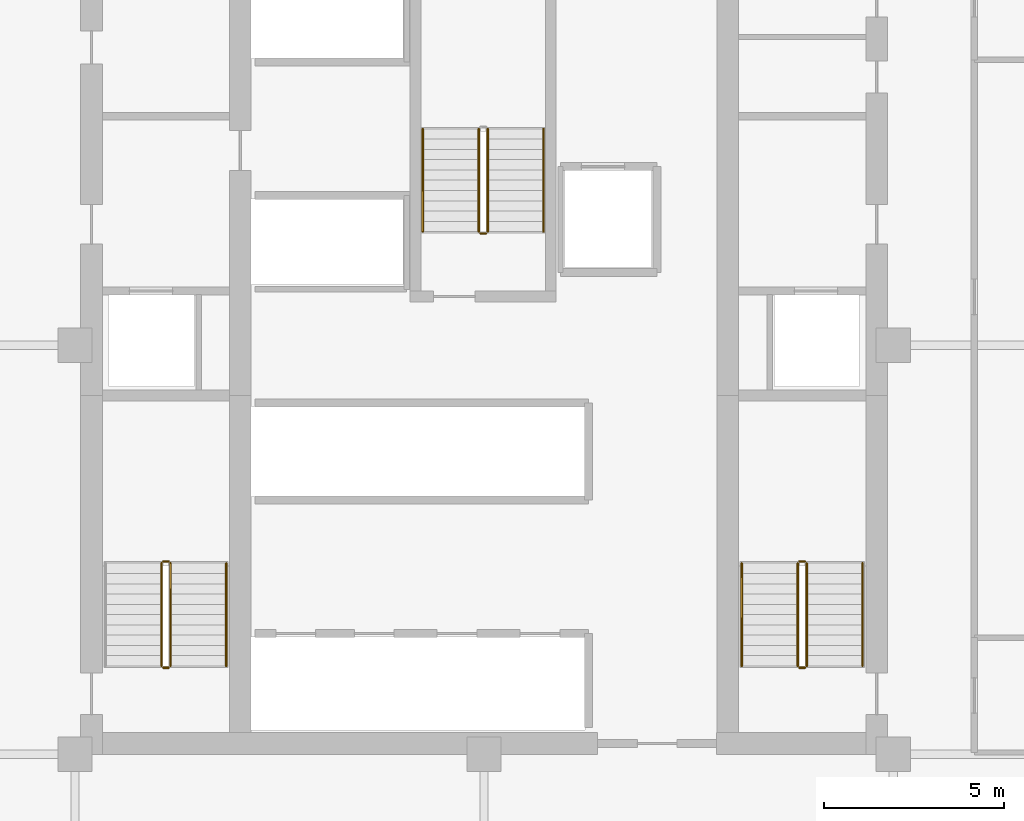
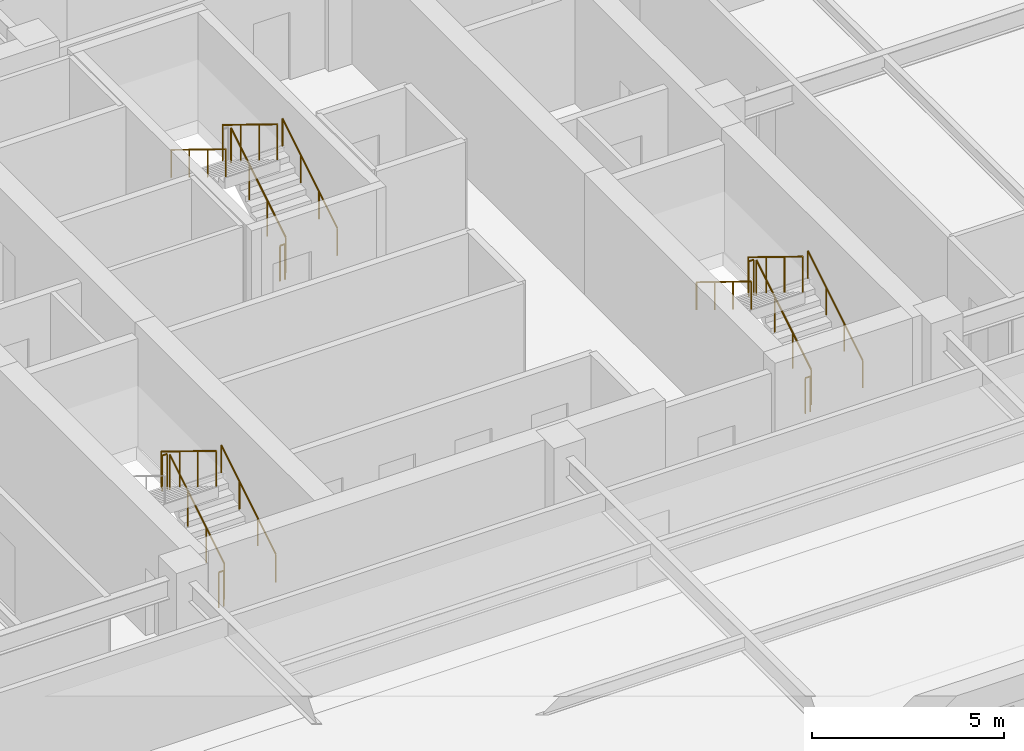
# One storey, part 10 of 12: 16 railings.
"""IFC4 building model written with IfcOpenShell, lengths in metres."""

from ifc_helpers import new_model, si_unit, direction, frame, origin, origin_2d, place, context, subcontext, project, spatial, circle, extrude, material, type_object, element, save


model = new_model("IFC4")

# Units and contexts
model_context = context("Model", 3, precision=1e-05, world=origin(), true_north=direction((0.0, 1.0)))
body_context = subcontext(model_context, "Body", "Model", "MODEL_VIEW")
ifc_project = project(units=[si_unit("LENGTHUNIT", "METRE"), si_unit("AREAUNIT", "SQUARE_METRE"), si_unit("VOLUMEUNIT", "CUBIC_METRE"), si_unit("PLANEANGLEUNIT", "RADIAN"), si_unit("MASSUNIT", "GRAM", prefix="KILO")], contexts=[model_context])

# Site, building, storey
site_placement = place(None, origin())
site = spatial("IfcSite", under=ifc_project, at=site_placement, CompositionType="ELEMENT")
building_placement = place(site_placement, origin())
building = spatial("IfcBuilding", under=site, at=building_placement, Name="Nhamokura Convention Tower", CompositionType="ELEMENT")
storey_placement = place(building_placement, frame((0.0, 0.0, 110.60009765625)))
storey = spatial("IfcBuildingStorey", under=building, at=storey_placement, Name="L26", CompositionType="ELEMENT", Elevation=110.60009765625)

# Railings
ifc_material_1 = material(Name="Anodised bronze stainless steel", Category="steel")
railing_type_1 = type_object("IfcRailingType", Name="StairWallHandrail_900", PredefinedType="HANDRAIL", material=ifc_material_1)
for number, where, name in (
    (1, (24.85009765625, 23.10009765625, 0.1748046875), "L26 ST-01 stair handrail 1"),
    (2, (42.5, 23.10009765625, 0.1748046875), "L26 ST-02 stair handrail 1"),
):
    element("IfcRailing", number, at=place(storey_placement, frame(where)), inside=storey, type_object=railing_type_1, Name=name, PredefinedType="HANDRAIL", context=body_context, shape_type="SweptSolid", body=[
        extrude(circle(Radius=0.02392578125, at=origin_2d()), frame((0.0, 0.0, 0.8759765625), z_axis=(0.0, 0.852159232446, 0.523282564737), x_axis=(-1.0, 0.0, 0.0)), (0.0, 0.0, 1.0), 3.34423828125),
        extrude(circle(Radius=0.02099609375, at=origin_2d()), origin(), (0.0, 0.0, 1.0), 0.851806640625),
        extrude(circle(Radius=0.02099609375, at=origin_2d()), frame((0.0, 0.949951171875, 0.583251953125)), (0.0, 0.0, 1.0), 0.851806640625),
        extrude(circle(Radius=0.02099609375, at=origin_2d()), frame((0.0, 1.89990234375, 1.166748046875)), (0.0, 0.0, 1.0), 0.851806640625),
        extrude(circle(Radius=0.02099609375, at=origin_2d()), frame((0.0, 2.849853515625, 1.75)), (0.0, 0.0, 1.0), 0.851806640625),
    ])
railing_1_placement = place(storey_placement, frame((39.14990234375, 25.949951171875, 2.099853515625)))
element("IfcRailing", 3, at=railing_1_placement, inside=storey, type_object=railing_type_1, Name="L26 ST-02 stair handrail 2", PredefinedType="HANDRAIL", context=body_context, shape_type="SweptSolid", body=[
    extrude(circle(Radius=0.02392578125, at=origin_2d()), frame((0.0, 0.0, 0.8759765625), z_axis=(0.0, -0.852159232446, 0.523282564737), x_axis=(1.0, 0.0, 0.0)), (0.0, 0.0, 1.0), 3.34423828125),
    extrude(circle(Radius=0.02099609375, at=origin_2d()), origin(), (0.0, 0.0, 1.0), 0.851806640625),
    extrude(circle(Radius=0.02099609375, at=origin_2d()), frame((0.0, -0.949951171875, 0.583251953125)), (0.0, 0.0, 1.0), 0.851806640625),
    extrude(circle(Radius=0.02099609375, at=origin_2d()), frame((0.0, -1.89990234375, 1.166748046875)), (0.0, 0.0, 1.0), 0.851806640625),
    extrude(circle(Radius=0.02099609375, at=origin_2d()), frame((0.0, -2.849853515625, 1.75)), (0.0, 0.0, 1.0), 0.851806640625),
])
railing_2_placement = place(storey_placement, frame((33.64990234375, 35.14990234375, 0.1748046875)))
element("IfcRailing", 4, at=railing_2_placement, inside=storey, type_object=railing_type_1, Name="L26 ST-03 stair handrail 1", PredefinedType="HANDRAIL", context=body_context, shape_type="SweptSolid", body=[
    extrude(circle(Radius=0.02392578125, at=origin_2d()), frame((0.0, 0.0, 0.8759765625), z_axis=(0.0, 0.852179220489, 0.52325001306), x_axis=(-1.0, 0.0, 0.0)), (0.0, 0.0, 1.0), 3.344482421875),
    extrude(circle(Radius=0.02099609375, at=origin_2d()), origin(), (0.0, 0.0, 1.0), 0.851806640625),
    extrude(circle(Radius=0.02099609375, at=origin_2d()), frame((0.0, 0.949951171875, 0.583251953125)), (0.0, 0.0, 1.0), 0.851806640625),
    extrude(circle(Radius=0.02099609375, at=origin_2d()), frame((0.0, 1.900146484375, 1.166748046875)), (0.0, 0.0, 1.0), 0.851806640625),
    extrude(circle(Radius=0.02099609375, at=origin_2d()), frame((0.0, 2.85009765625, 1.75)), (0.0, 0.0, 1.0), 0.851806640625),
])
railing_3_placement = place(storey_placement, frame((30.300048828125, 38.0, 2.099853515625)))
element("IfcRailing", 5, at=railing_3_placement, inside=storey, type_object=railing_type_1, Name="L26 ST-03 stair handrail 2", PredefinedType="HANDRAIL", context=body_context, shape_type="SweptSolid", body=[
    extrude(circle(Radius=0.02392578125, at=origin_2d()), frame((0.0, 0.0, 0.8759765625), z_axis=(0.0, -0.852179220489, 0.52325001306), x_axis=(1.0, 0.0, 0.0)), (0.0, 0.0, 1.0), 3.344482421875),
    extrude(circle(Radius=0.02099609375, at=origin_2d()), origin(), (0.0, 0.0, 1.0), 0.851806640625),
    extrude(circle(Radius=0.02099609375, at=origin_2d()), frame((0.0, -0.949951171875, 0.583251953125)), (0.0, 0.0, 1.0), 0.851806640625),
    extrude(circle(Radius=0.02099609375, at=origin_2d()), frame((0.0, -1.900146484375, 1.166748046875)), (0.0, 0.0, 1.0), 0.851806640625),
    extrude(circle(Radius=0.02099609375, at=origin_2d()), frame((0.0, -2.85009765625, 1.75)), (0.0, 0.0, 1.0), 0.851806640625),
])
ifc_material_2 = material(Name="Painted tubular steel", Category="steel")
railing_type_2 = type_object("IfcRailingType", Name="StairWellGuardrail_1150", PredefinedType="GUARDRAIL", material=ifc_material_2)
railing_4_placement = place(storey_placement, frame((23.300048828125, 23.10009765625, 0.1748046875)))
element("IfcRailing", 6, at=railing_4_placement, inside=storey, type_object=railing_type_2, Name="L26 ST-01 stair guard 1", PredefinedType="GUARDRAIL", context=body_context, shape_type="SweptSolid", body=[
    extrude(circle(Radius=0.02392578125, at=origin_2d()), frame((0.0, 0.0, 1.1259765625), z_axis=(0.0, 0.852159232446, 0.523282564737), x_axis=(-1.0, 0.0, 0.0)), (0.0, 0.0, 1.0), 3.34423828125),
    extrude(circle(Radius=0.02099609375, at=origin_2d()), origin(), (0.0, 0.0, 1.0), 1.101806640625),
    extrude(circle(Radius=0.02099609375, at=origin_2d()), frame((0.0, 0.949951171875, 0.583251953125)), (0.0, 0.0, 1.0), 1.101806640625),
    extrude(circle(Radius=0.02099609375, at=origin_2d()), frame((0.0, 1.89990234375, 1.166748046875)), (0.0, 0.0, 1.0), 1.101806640625),
    extrude(circle(Radius=0.02099609375, at=origin_2d()), frame((0.0, 2.849853515625, 1.75)), (0.0, 0.0, 1.0), 1.101806640625),
])
railing_5_placement = place(storey_placement, frame((23.25, 26.0, 1.9248046875)))
element("IfcRailing", 7, at=railing_5_placement, inside=storey, type_object=railing_type_2, Name="L26 ST-01 stair guard 2", PredefinedType="GUARDRAIL", context=body_context, shape_type="SweptSolid", body=[
    extrude(circle(Radius=0.02392578125, at=origin_2d()), frame((0.0, 0.0, 1.1259765625), z_axis=(-1.0, 0.0, 0.0), x_axis=(0.0, -1.0, 0.0)), (0.0, 0.0, 1.0), 0.14990234375),
    extrude(circle(Radius=0.02099609375, at=origin_2d()), origin(), (0.0, 0.0, 1.0), 1.101806640625),
    extrude(circle(Radius=0.02099609375, at=origin_2d()), frame((-0.14990234375, 0.0, 0.0)), (0.0, 0.0, 1.0), 1.101806640625),
])
railing_6_placement = place(storey_placement, frame((23.050048828125, 25.949951171875, 2.099853515625)))
element("IfcRailing", 8, at=railing_6_placement, inside=storey, type_object=railing_type_2, Name="L26 ST-01 stair guard 3", PredefinedType="GUARDRAIL", context=body_context, shape_type="SweptSolid", body=[
    extrude(circle(Radius=0.02392578125, at=origin_2d()), frame((0.0, 0.0, 1.1259765625), z_axis=(0.0, -0.852159232446, 0.523282564737), x_axis=(1.0, 0.0, 0.0)), (0.0, 0.0, 1.0), 3.34423828125),
    extrude(circle(Radius=0.02099609375, at=origin_2d()), origin(), (0.0, 0.0, 1.0), 1.101806640625),
    extrude(circle(Radius=0.02099609375, at=origin_2d()), frame((0.0, -0.949951171875, 0.583251953125)), (0.0, 0.0, 1.0), 1.101806640625),
    extrude(circle(Radius=0.02099609375, at=origin_2d()), frame((0.0, -1.89990234375, 1.166748046875)), (0.0, 0.0, 1.0), 1.101806640625),
    extrude(circle(Radius=0.02099609375, at=origin_2d()), frame((0.0, -2.849853515625, 1.75)), (0.0, 0.0, 1.0), 1.101806640625),
])
railing_7_placement = place(storey_placement, frame((23.25, 23.050048828125, 0.0)))
element("IfcRailing", 9, at=railing_7_placement, inside=storey, type_object=railing_type_2, Name="L26 ST-01 stair guard 4", PredefinedType="GUARDRAIL", context=body_context, shape_type="SweptSolid", body=[
    extrude(circle(Radius=0.02392578125, at=origin_2d()), frame((0.0, 0.0, 1.1259765625), z_axis=(-1.0, 0.0, 0.0), x_axis=(0.0, -1.0, 0.0)), (0.0, 0.0, 1.0), 0.14990234375),
    extrude(circle(Radius=0.02099609375, at=origin_2d()), origin(), (0.0, 0.0, 1.0), 1.101806640625),
    extrude(circle(Radius=0.02099609375, at=origin_2d()), frame((-0.14990234375, 0.0, 0.0)), (0.0, 0.0, 1.0), 1.101806640625),
])
railing_8_placement = place(storey_placement, frame((40.949951171875, 23.10009765625, 0.1748046875)))
element("IfcRailing", 10, at=railing_8_placement, inside=storey, type_object=railing_type_2, Name="L26 ST-02 stair guard 1", PredefinedType="GUARDRAIL", context=body_context, shape_type="SweptSolid", body=[
    extrude(circle(Radius=0.02392578125, at=origin_2d()), frame((0.0, 0.0, 1.1259765625), z_axis=(0.0, 0.852159232446, 0.523282564737), x_axis=(-1.0, 0.0, 0.0)), (0.0, 0.0, 1.0), 3.34423828125),
    extrude(circle(Radius=0.02099609375, at=origin_2d()), origin(), (0.0, 0.0, 1.0), 1.101806640625),
    extrude(circle(Radius=0.02099609375, at=origin_2d()), frame((0.0, 0.949951171875, 0.583251953125)), (0.0, 0.0, 1.0), 1.101806640625),
    extrude(circle(Radius=0.02099609375, at=origin_2d()), frame((0.0, 1.89990234375, 1.166748046875)), (0.0, 0.0, 1.0), 1.101806640625),
    extrude(circle(Radius=0.02099609375, at=origin_2d()), frame((0.0, 2.849853515625, 1.75)), (0.0, 0.0, 1.0), 1.101806640625),
])
railing_9_placement = place(storey_placement, frame((40.89990234375, 26.0, 1.9248046875)))
element("IfcRailing", 11, at=railing_9_placement, inside=storey, type_object=railing_type_2, Name="L26 ST-02 stair guard 2", PredefinedType="GUARDRAIL", context=body_context, shape_type="SweptSolid", body=[
    extrude(circle(Radius=0.02392578125, at=origin_2d()), frame((0.0, 0.0, 1.1259765625), z_axis=(-1.0, 0.0, 0.0), x_axis=(0.0, -1.0, 0.0)), (0.0, 0.0, 1.0), 0.14990234375),
    extrude(circle(Radius=0.02099609375, at=origin_2d()), origin(), (0.0, 0.0, 1.0), 1.101806640625),
    extrude(circle(Radius=0.02099609375, at=origin_2d()), frame((-0.14990234375, 0.0, 0.0)), (0.0, 0.0, 1.0), 1.101806640625),
])
railing_10_placement = place(storey_placement, frame((40.699951171875, 25.949951171875, 2.099853515625)))
element("IfcRailing", 12, at=railing_10_placement, inside=storey, type_object=railing_type_2, Name="L26 ST-02 stair guard 3", PredefinedType="GUARDRAIL", context=body_context, shape_type="SweptSolid", body=[
    extrude(circle(Radius=0.02392578125, at=origin_2d()), frame((0.0, 0.0, 1.1259765625), z_axis=(0.0, -0.852159232446, 0.523282564737), x_axis=(1.0, 0.0, 0.0)), (0.0, 0.0, 1.0), 3.34423828125),
    extrude(circle(Radius=0.02099609375, at=origin_2d()), origin(), (0.0, 0.0, 1.0), 1.101806640625),
    extrude(circle(Radius=0.02099609375, at=origin_2d()), frame((0.0, -0.949951171875, 0.583251953125)), (0.0, 0.0, 1.0), 1.101806640625),
    extrude(circle(Radius=0.02099609375, at=origin_2d()), frame((0.0, -1.89990234375, 1.166748046875)), (0.0, 0.0, 1.0), 1.101806640625),
    extrude(circle(Radius=0.02099609375, at=origin_2d()), frame((0.0, -2.849853515625, 1.75)), (0.0, 0.0, 1.0), 1.101806640625),
])
railing_11_placement = place(storey_placement, frame((40.89990234375, 23.050048828125, 0.0)))
element("IfcRailing", 13, at=railing_11_placement, inside=storey, type_object=railing_type_2, Name="L26 ST-02 stair guard 4", PredefinedType="GUARDRAIL", context=body_context, shape_type="SweptSolid", body=[
    extrude(circle(Radius=0.02392578125, at=origin_2d()), frame((0.0, 0.0, 1.1259765625), z_axis=(-1.0, 0.0, 0.0), x_axis=(0.0, -1.0, 0.0)), (0.0, 0.0, 1.0), 0.14990234375),
    extrude(circle(Radius=0.02099609375, at=origin_2d()), origin(), (0.0, 0.0, 1.0), 1.101806640625),
    extrude(circle(Radius=0.02099609375, at=origin_2d()), frame((-0.14990234375, 0.0, 0.0)), (0.0, 0.0, 1.0), 1.101806640625),
])
railing_12_placement = place(storey_placement, frame((32.10009765625, 35.14990234375, 0.1748046875)))
element("IfcRailing", 14, at=railing_12_placement, inside=storey, type_object=railing_type_2, Name="L26 ST-03 stair guard 1", PredefinedType="GUARDRAIL", context=body_context, shape_type="SweptSolid", body=[
    extrude(circle(Radius=0.02392578125, at=origin_2d()), frame((0.0, 0.0, 1.1259765625), z_axis=(0.0, 0.852179220489, 0.52325001306), x_axis=(-1.0, 0.0, 0.0)), (0.0, 0.0, 1.0), 3.344482421875),
    extrude(circle(Radius=0.02099609375, at=origin_2d()), origin(), (0.0, 0.0, 1.0), 1.101806640625),
    extrude(circle(Radius=0.02099609375, at=origin_2d()), frame((0.0, 0.949951171875, 0.583251953125)), (0.0, 0.0, 1.0), 1.101806640625),
    extrude(circle(Radius=0.02099609375, at=origin_2d()), frame((0.0, 1.900146484375, 1.166748046875)), (0.0, 0.0, 1.0), 1.101806640625),
    extrude(circle(Radius=0.02099609375, at=origin_2d()), frame((0.0, 2.85009765625, 1.75)), (0.0, 0.0, 1.0), 1.101806640625),
])
railing_13_placement = place(storey_placement, frame((31.85009765625, 38.0, 2.099853515625)))
element("IfcRailing", 15, at=railing_13_placement, inside=storey, type_object=railing_type_2, Name="L26 ST-03 stair guard 3", PredefinedType="GUARDRAIL", context=body_context, shape_type="SweptSolid", body=[
    extrude(circle(Radius=0.02392578125, at=origin_2d()), frame((0.0, 0.0, 1.1259765625), z_axis=(0.0, -0.852179220489, 0.52325001306), x_axis=(1.0, 0.0, 0.0)), (0.0, 0.0, 1.0), 3.344482421875),
    extrude(circle(Radius=0.02099609375, at=origin_2d()), origin(), (0.0, 0.0, 1.0), 1.101806640625),
    extrude(circle(Radius=0.02099609375, at=origin_2d()), frame((0.0, -0.949951171875, 0.583251953125)), (0.0, 0.0, 1.0), 1.101806640625),
    extrude(circle(Radius=0.02099609375, at=origin_2d()), frame((0.0, -1.900146484375, 1.166748046875)), (0.0, 0.0, 1.0), 1.101806640625),
    extrude(circle(Radius=0.02099609375, at=origin_2d()), frame((0.0, -2.85009765625, 1.75)), (0.0, 0.0, 1.0), 1.101806640625),
])
railing_14_placement = place(storey_placement, frame((32.050048828125, 35.10009765625, 0.0)))
element("IfcRailing", 16, at=railing_14_placement, inside=storey, type_object=railing_type_2, Name="L26 ST-03 stair guard 4", PredefinedType="GUARDRAIL", context=body_context, shape_type="SweptSolid", body=[
    extrude(circle(Radius=0.02392578125, at=origin_2d()), frame((0.0, 0.0, 1.1259765625), z_axis=(-1.0, 0.0, 0.0), x_axis=(0.0, -1.0, 0.0)), (0.0, 0.0, 1.0), 0.150146484375),
    extrude(circle(Radius=0.02099609375, at=origin_2d()), origin(), (0.0, 0.0, 1.0), 1.101806640625),
    extrude(circle(Radius=0.02099609375, at=origin_2d()), frame((-0.150146484375, 0.0, 0.0)), (0.0, 0.0, 1.0), 1.101806640625),
])

save(model, "model.ifc")
